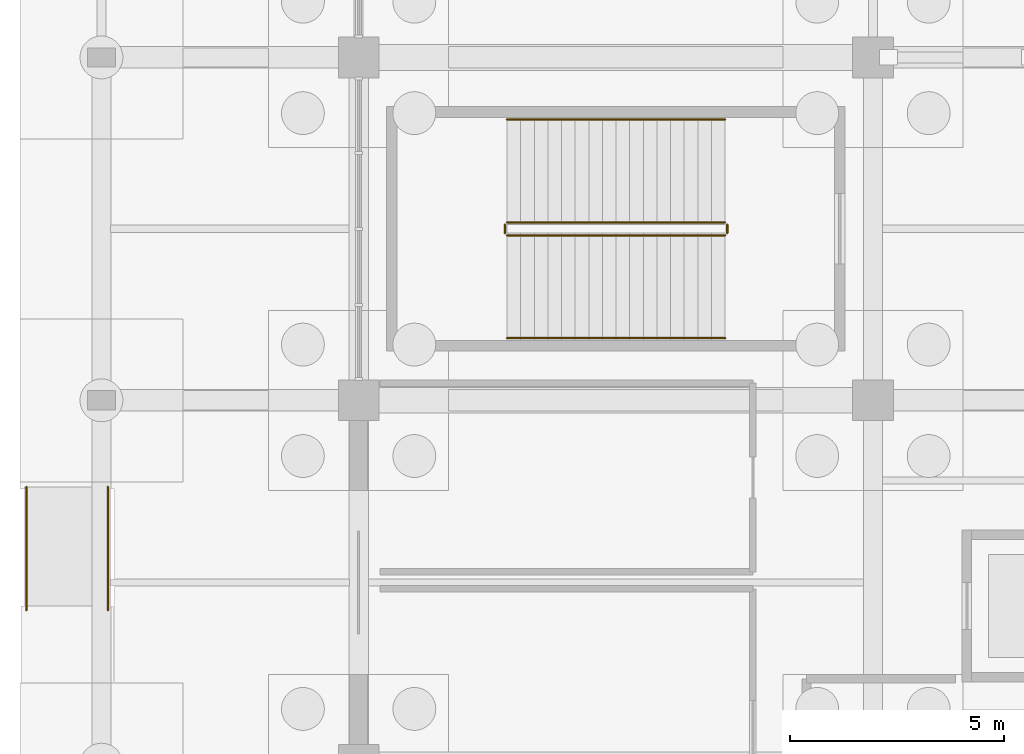
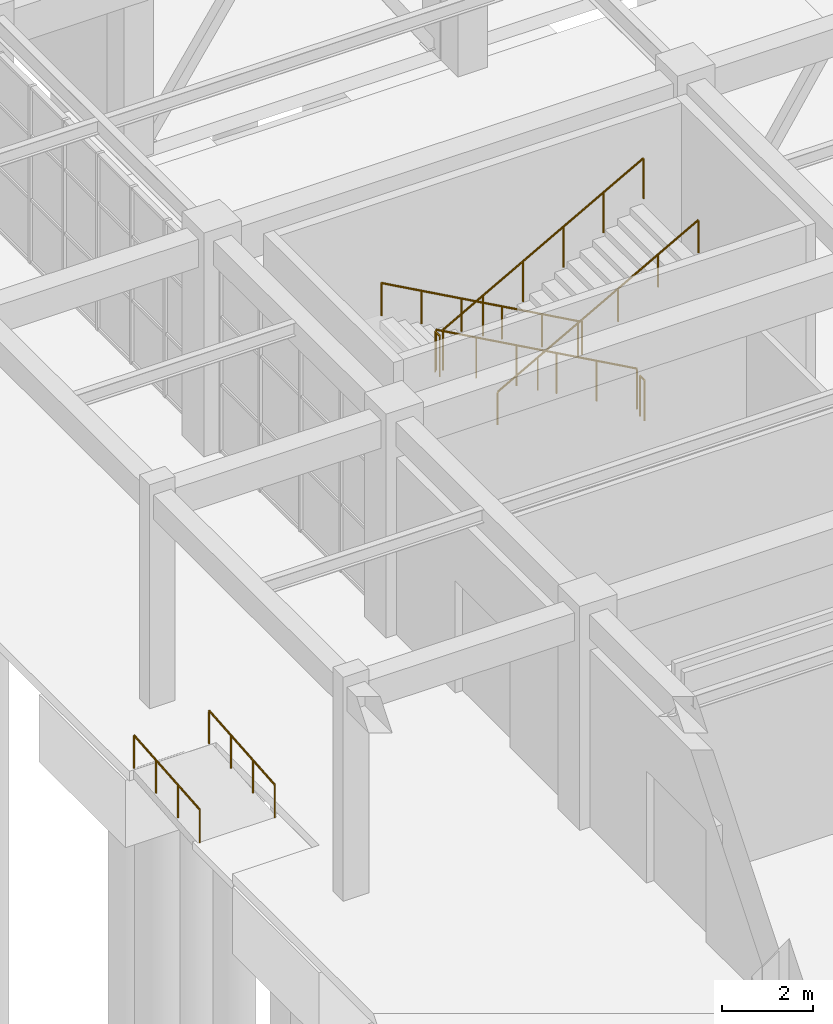
# One storey, part 108 of 121: 8 railings.
"""IFC4 building model written with IfcOpenShell, lengths in metres."""

from ifc_helpers import new_model, si_unit, direction, frame, origin, origin_2d, place, context, subcontext, project, spatial, circle, extrude, material, type_object, element, save


model = new_model("IFC4")

# Units and contexts
model_context = context("Model", 3, precision=1e-05, world=origin(), true_north=direction((0.0, 1.0)))
body_context = subcontext(model_context, "Body", "Model", "MODEL_VIEW")
ifc_project = project(units=[si_unit("LENGTHUNIT", "METRE"), si_unit("AREAUNIT", "SQUARE_METRE"), si_unit("VOLUMEUNIT", "CUBIC_METRE"), si_unit("PLANEANGLEUNIT", "RADIAN"), si_unit("MASSUNIT", "GRAM", prefix="KILO")], contexts=[model_context])

# Site, building, storey
site_placement = place(None, origin())
site = spatial("IfcSite", under=ifc_project, at=site_placement, CompositionType="ELEMENT")
building_placement = place(site_placement, origin())
building = spatial("IfcBuilding", under=site, at=building_placement, Name="Cuetzalor Civic Arena", CompositionType="ELEMENT")
storey_placement = place(building_placement, origin())
storey = spatial("IfcBuildingStorey", under=building, at=storey_placement, Name="L00", CompositionType="ELEMENT", Elevation=0.0)

# Railings
ifc_material_1 = material(Name="Reseda-green architectural Steel S355 balustrade", Category="steel")
railing_type_1 = type_object("IfcRailingType", Name="InteriorVoidBalustrade_1100", PredefinedType="BALUSTRADE", material=ifc_material_1)
railing_1_placement = place(storey_placement, frame((-67.449951171875, 21.14990234375, 0.176513671875)))
element("IfcRailing", 1, at=railing_1_placement, inside=storey, type_object=railing_type_1, Name="L00 ST-17 stair guard 1", PredefinedType="BALUSTRADE", context=body_context, shape_type="SweptSolid", body=[
    extrude(circle(Radius=0.02392578125, at=origin_2d()), frame((0.0, 0.0, 1.0810546875), z_axis=(-0.874394655587, 0.0, 0.485215401941), x_axis=(0.0, -1.0, 0.0)), (0.0, 0.0, 1.0), 5.819091796875),
    extrude(circle(Radius=0.02099609375, at=origin_2d()), origin(), (0.0, 0.0, 1.0), 1.056884765625),
    extrude(circle(Radius=0.02099609375, at=origin_2d()), frame((-1.017578125, 0.0, 0.564697265625)), (0.0, 0.0, 1.0), 1.056884765625),
    extrude(circle(Radius=0.02099609375, at=origin_2d()), frame((-2.03515625, 0.0, 1.12939453125)), (0.0, 0.0, 1.0), 1.056884765625),
    extrude(circle(Radius=0.02099609375, at=origin_2d()), frame((-3.052978515625, 0.0, 1.694091796875)), (0.0, 0.0, 1.0), 1.056884765625),
    extrude(circle(Radius=0.02099609375, at=origin_2d()), frame((-4.070556640625, 0.0, 2.2587890625)), (0.0, 0.0, 1.0), 1.056884765625),
    extrude(circle(Radius=0.02099609375, at=origin_2d()), frame((-5.088134765625, 0.0, 2.823486328125)), (0.0, 0.0, 1.0), 1.056884765625),
])
railing_2_placement = place(storey_placement, frame((-72.587890625, 21.10009765625, 3.0)))
element("IfcRailing", 2, at=railing_2_placement, inside=storey, type_object=railing_type_1, Name="L00 ST-17 stair guard 2", PredefinedType="BALUSTRADE", context=body_context, shape_type="SweptSolid", body=[
    extrude(circle(Radius=0.02392578125, at=origin_2d()), frame((0.0, 0.0, 1.0810546875), z_axis=(0.0, -1.0, 0.0), x_axis=(1.0, 0.0, 0.0)), (0.0, 0.0, 1.0), 0.2001953125),
    extrude(circle(Radius=0.02099609375, at=origin_2d()), origin(), (0.0, 0.0, 1.0), 1.056884765625),
    extrude(circle(Radius=0.02099609375, at=origin_2d()), frame((0.0, -0.2001953125, 0.0)), (0.0, 0.0, 1.0), 1.056884765625),
])
railing_3_placement = place(storey_placement, frame((-72.5380859375, 20.85009765625, 3.176513671875)))
element("IfcRailing", 3, at=railing_3_placement, inside=storey, type_object=railing_type_1, Name="L00 ST-17 stair guard 3", PredefinedType="BALUSTRADE", context=body_context, shape_type="SweptSolid", body=[
    extrude(circle(Radius=0.02392578125, at=origin_2d()), frame((0.0, 0.0, 1.0810546875), z_axis=(0.874394655587, 0.0, 0.485215401941), x_axis=(0.0, 1.0, 0.0)), (0.0, 0.0, 1.0), 5.819091796875),
    extrude(circle(Radius=0.02099609375, at=origin_2d()), origin(), (0.0, 0.0, 1.0), 1.056884765625),
    extrude(circle(Radius=0.02099609375, at=origin_2d()), frame((1.017578125, 0.0, 0.564697265625)), (0.0, 0.0, 1.0), 1.056884765625),
    extrude(circle(Radius=0.02099609375, at=origin_2d()), frame((2.03515625, 0.0, 1.12939453125)), (0.0, 0.0, 1.0), 1.056884765625),
    extrude(circle(Radius=0.02099609375, at=origin_2d()), frame((3.052978515625, 0.0, 1.694091796875)), (0.0, 0.0, 1.0), 1.056884765625),
    extrude(circle(Radius=0.02099609375, at=origin_2d()), frame((4.070556640625, 0.0, 2.2587890625)), (0.0, 0.0, 1.0), 1.056884765625),
    extrude(circle(Radius=0.02099609375, at=origin_2d()), frame((5.088134765625, 0.0, 2.823486328125)), (0.0, 0.0, 1.0), 1.056884765625),
])
railing_4_placement = place(storey_placement, frame((-67.39990234375, 21.10009765625, 0.0)))
element("IfcRailing", 4, at=railing_4_placement, inside=storey, type_object=railing_type_1, Name="L00 ST-17 stair guard 4", PredefinedType="BALUSTRADE", context=body_context, shape_type="SweptSolid", body=[
    extrude(circle(Radius=0.02392578125, at=origin_2d()), frame((0.0, 0.0, 1.0810546875), z_axis=(0.0, -1.0, 0.0), x_axis=(1.0, 0.0, 0.0)), (0.0, 0.0, 1.0), 0.2001953125),
    extrude(circle(Radius=0.02099609375, at=origin_2d()), origin(), (0.0, 0.0, 1.0), 1.056884765625),
    extrude(circle(Radius=0.02099609375, at=origin_2d()), frame((0.0, -0.2001953125, 0.0)), (0.0, 0.0, 1.0), 1.056884765625),
])
ifc_material_2 = material(Name="Galvanised steel S355", Category="steel")
railing_type_2 = type_object("IfcRailingType", Name="StairPitchHandrail_900", PredefinedType="HANDRAIL", material=ifc_material_2)
railing_5_placement = place(storey_placement, frame((-67.449951171875, 23.550048828125, 0.176513671875)))
element("IfcRailing", 5, at=railing_5_placement, inside=storey, type_object=railing_type_2, Name="L00 ST-17 stair handrail 1", PredefinedType="HANDRAIL", context=body_context, shape_type="SweptSolid", body=[
    extrude(circle(Radius=0.02392578125, at=origin_2d()), frame((0.0, 0.0, 0.8759765625), z_axis=(-0.874394655587, 0.0, 0.485215401941), x_axis=(0.0, -1.0, 0.0)), (0.0, 0.0, 1.0), 5.819091796875),
    extrude(circle(Radius=0.02099609375, at=origin_2d()), origin(), (0.0, 0.0, 1.0), 0.851806640625),
    extrude(circle(Radius=0.02099609375, at=origin_2d()), frame((-1.017578125, 0.0, 0.564697265625)), (0.0, 0.0, 1.0), 0.851806640625),
    extrude(circle(Radius=0.02099609375, at=origin_2d()), frame((-2.03515625, 0.0, 1.12939453125)), (0.0, 0.0, 1.0), 0.851806640625),
    extrude(circle(Radius=0.02099609375, at=origin_2d()), frame((-3.052978515625, 0.0, 1.694091796875)), (0.0, 0.0, 1.0), 0.851806640625),
    extrude(circle(Radius=0.02099609375, at=origin_2d()), frame((-4.070556640625, 0.0, 2.2587890625)), (0.0, 0.0, 1.0), 0.851806640625),
    extrude(circle(Radius=0.02099609375, at=origin_2d()), frame((-5.088134765625, 0.0, 2.823486328125)), (0.0, 0.0, 1.0), 0.851806640625),
])
railing_6_placement = place(storey_placement, frame((-72.5380859375, 18.449951171875, 3.176513671875)))
element("IfcRailing", 6, at=railing_6_placement, inside=storey, type_object=railing_type_2, Name="L00 ST-17 stair handrail 2", PredefinedType="HANDRAIL", context=body_context, shape_type="SweptSolid", body=[
    extrude(circle(Radius=0.02392578125, at=origin_2d()), frame((0.0, 0.0, 0.8759765625), z_axis=(0.874394655587, 0.0, 0.485215401941), x_axis=(0.0, 1.0, 0.0)), (0.0, 0.0, 1.0), 5.819091796875),
    extrude(circle(Radius=0.02099609375, at=origin_2d()), origin(), (0.0, 0.0, 1.0), 0.851806640625),
    extrude(circle(Radius=0.02099609375, at=origin_2d()), frame((1.017578125, 0.0, 0.564697265625)), (0.0, 0.0, 1.0), 0.851806640625),
    extrude(circle(Radius=0.02099609375, at=origin_2d()), frame((2.03515625, 0.0, 1.12939453125)), (0.0, 0.0, 1.0), 0.851806640625),
    extrude(circle(Radius=0.02099609375, at=origin_2d()), frame((3.052978515625, 0.0, 1.694091796875)), (0.0, 0.0, 1.0), 0.851806640625),
    extrude(circle(Radius=0.02099609375, at=origin_2d()), frame((4.070556640625, 0.0, 2.2587890625)), (0.0, 0.0, 1.0), 0.851806640625),
    extrude(circle(Radius=0.02099609375, at=origin_2d()), frame((5.088134765625, 0.0, 2.823486328125)), (0.0, 0.0, 1.0), 0.851806640625),
])
for number, where, name in (
    (7, (-83.75, 12.10009765625, -0.239990234375), "Accessible Ramp RMP-W2 Handrail L"),
    (8, (-81.85009765625, 12.10009765625, -0.239990234375), "Accessible Ramp RMP-W2 Handrail R"),
):
    element("IfcRailing", number, at=place(storey_placement, frame(where)), inside=storey, type_object=railing_type_2, Name=name, PredefinedType="HANDRAIL", context=body_context, shape_type="SweptSolid", body=[
        extrude(circle(Radius=0.02392578125, at=origin_2d()), frame((0.0, 0.0, 0.8759765625), z_axis=(0.0, 0.996545758245, 0.083045479854), x_axis=(-1.0, 0.0, 0.0)), (0.0, 0.0, 1.0), 2.889892578125),
        extrude(circle(Radius=0.02099609375, at=origin_2d()), origin(), (0.0, 0.0, 1.0), 0.851806640625),
        extrude(circle(Radius=0.02099609375, at=origin_2d()), frame((0.0, 0.9599609375, 0.080078125)), (0.0, 0.0, 1.0), 0.851806640625),
        extrude(circle(Radius=0.02099609375, at=origin_2d()), frame((0.0, 1.919921875, 0.159912109375)), (0.0, 0.0, 1.0), 0.851806640625),
        extrude(circle(Radius=0.02099609375, at=origin_2d()), frame((0.0, 2.8798828125, 0.239990234375)), (0.0, 0.0, 1.0), 0.851806640625),
    ])

save(model, "model.ifc")
